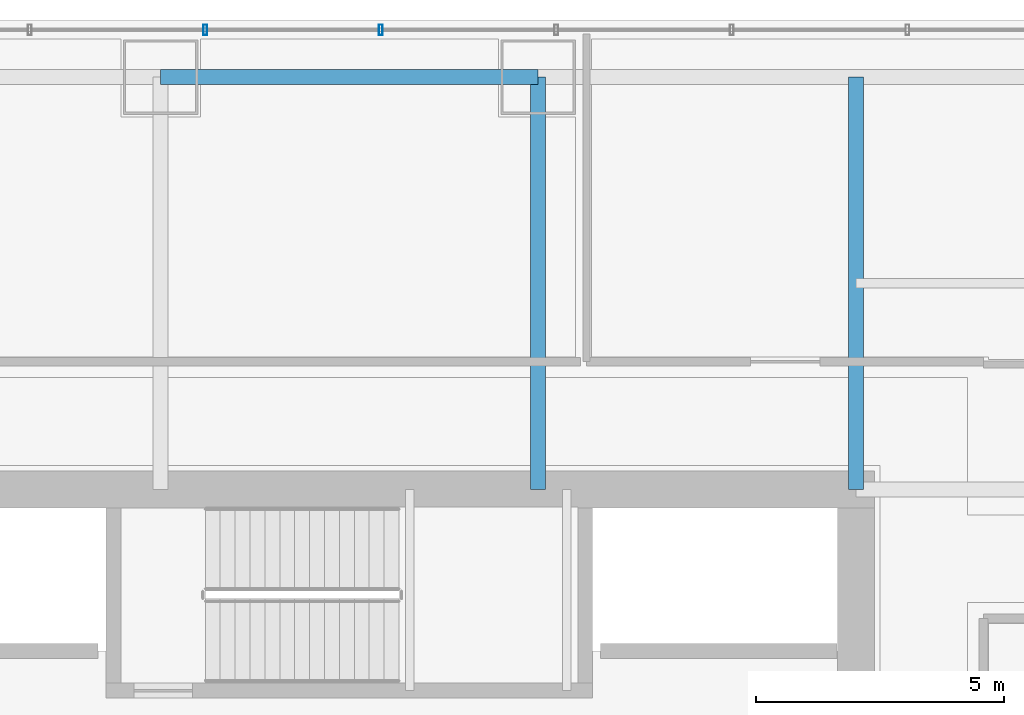
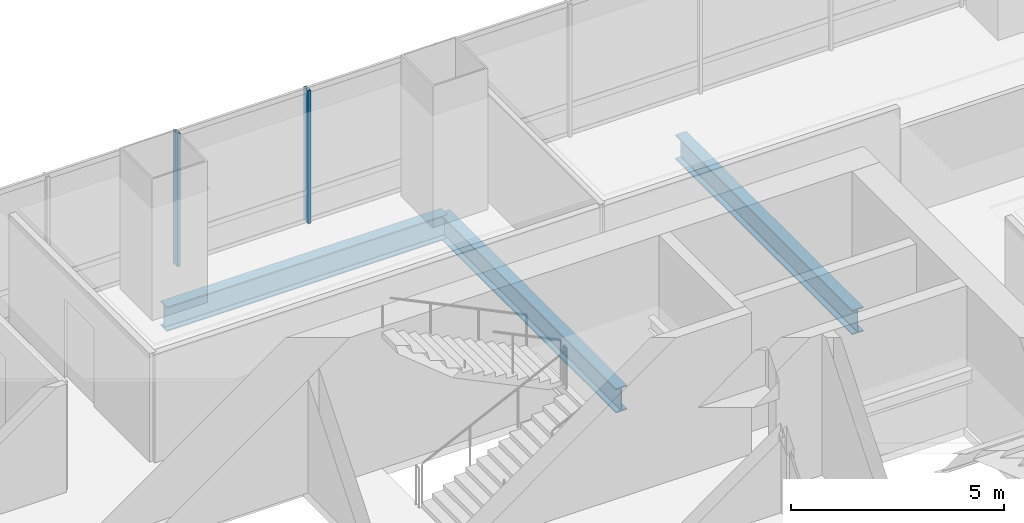
# One storey, part 20 of 35: 3 beams, 2 members, 1 element without a shape of its own.
"""IFC4 building model written with IfcOpenShell, lengths in metres."""

from ifc_helpers import new_model, si_unit, direction, frame, origin, origin_2d, place, context, subcontext, project, spatial, hollow_rectangle, i_section, extrude, material, material_profile, profile_set, type_object, element, aggregate, save


model = new_model("IFC4")

# Units and contexts
model_context = context("Model", 3, precision=1e-05, world=origin(), true_north=direction((0.0, 1.0)))
body_context = subcontext(model_context, "Body", "Model", "MODEL_VIEW")
ifc_project = project(units=[si_unit("LENGTHUNIT", "METRE"), si_unit("AREAUNIT", "SQUARE_METRE"), si_unit("VOLUMEUNIT", "CUBIC_METRE"), si_unit("PLANEANGLEUNIT", "RADIAN"), si_unit("MASSUNIT", "GRAM", prefix="KILO")], contexts=[model_context])

# Site, building, storey
site_placement = place(None, origin())
site = spatial("IfcSite", under=ifc_project, at=site_placement, CompositionType="ELEMENT")
building_placement = place(site_placement, origin())
building = spatial("IfcBuilding", under=site, at=building_placement, Name="Punatoya Terracotta Tower", CompositionType="ELEMENT")
storey_placement = place(building_placement, frame((0.0, 0.0, 72.75)))
storey = spatial("IfcBuildingStorey", under=building, at=storey_placement, Name="L16", CompositionType="ELEMENT", Elevation=72.75)

# Beams
ifc_material_1 = material(Name="Steel S355", Category="steel")
ifc_material_profile_1 = material_profile(ifc_material_1, i_section(OverallWidth=0.300048828125, OverallDepth=0.699951171875, WebThickness=0.01708984375, FlangeThickness=0.031982421875, FilletRadius=0.01806640625, at=origin_2d()))
ifc_profile_set_1 = profile_set([ifc_material_profile_1], Name="Steel S355")
beam_type = type_object("IfcBeamType", Name="BM-PRI-700", PredefinedType="BEAM", material=ifc_profile_set_1)
beam_placement = place(storey_placement, frame((-3.800048828125, 17.5, -0.590087890625), z_axis=(1.0, 0.0, 0.0), x_axis=(0.0, 1.0, 0.0)))
element("IfcBeam", 1, at=beam_placement, inside=storey, type_object=beam_type, Name="BM-L16-RG-N2", PredefinedType="BEAM", context=body_context, shape_type="SweptSolid", body=[
    extrude(i_section(OverallWidth=0.300048828125, OverallDepth=0.699951171875, WebThickness=0.01708984375, FlangeThickness=0.031982421875, FilletRadius=0.01806640625, at=origin_2d()), origin(), (0.0, 0.0, 1.0), 7.60009765625),
])
for number, where, z_axis, x_axis, name in (
    (2, (3.800048828125, 9.199951171875, -0.590087890625), (0.0, 1.0, 0.0), (-1.0, 0.0, 0.0), "BM-L16-PR-N3"),
    (3, (10.199951171875, 9.199951171875, -0.590087890625), (0.0, 1.0, 0.0), (-1.0, 0.0, 0.0), "BM-L16-PR-N4"),
):
    element("IfcBeam", number, at=place(storey_placement, frame(where, z_axis=z_axis, x_axis=x_axis)), inside=storey, type_object=beam_type, Name=name, PredefinedType="BEAM", context=body_context, shape_type="SweptSolid", body=[
        extrude(i_section(OverallWidth=0.300048828125, OverallDepth=0.699951171875, WebThickness=0.01708984375, FlangeThickness=0.031982421875, FilletRadius=0.01806640625, at=origin_2d()), origin(), (0.0, 0.0, 1.0), 8.300048828125),
    ])

# Curtain wall, members
ifc_material_2 = material(Name="Aluminium 6063-T6 + Double Low-E Glass", Category="aluminium")
curtain_wall_type = type_object("IfcCurtainWallType", Name="CW-M1", PredefinedType="NOTDEFINED", material=ifc_material_2)
curtain_wall_placement = place(storey_placement, origin())
curtain_wall = element("IfcCurtainWall", 4, at=curtain_wall_placement, inside=storey, type_object=curtain_wall_type, Name="L16 Curtain Wall CW-L16-N09-1", PredefinedType="NOTDEFINED")
ifc_material_3 = material(Name="Aluminium 6063-T6", Category="aluminium")
ifc_material_profile_2 = material_profile(ifc_material_3, hollow_rectangle(XDim=0.074951171875, YDim=0.2099609375, WallThickness=0.00439453125, at=origin_2d()))
ifc_profile_set_2 = profile_set([ifc_material_profile_2], Name="Aluminium 6063-T6")
member_type = type_object("IfcMemberType", Name="CW-MUL-M1", PredefinedType="MULLION", material=ifc_profile_set_2)
member_1_placement = place(storey_placement, frame((0.633056640625, 18.449951171875, 0.0), z_axis=(0.0, 0.0, 1.0), x_axis=(1.0, 0.0, 0.0)))
member_1 = element("IfcMember", 5, at=member_1_placement, type_object=member_type, Name="CW-L16-N09-1 Mullion 06", PredefinedType="MULLION", context=body_context, shape_type="SweptSolid", body=[
    extrude(hollow_rectangle(XDim=0.074951171875, YDim=0.2099609375, WallThickness=0.00439453125, at=origin_2d()), origin(), (0.0, 0.0, 1.0), 3.81005859375),
])
member_2_placement = place(storey_placement, frame((-2.90087890625, 18.449951171875, 0.0), z_axis=(0.0, 0.0, 1.0), x_axis=(1.0, 0.0, 0.0)))
member_2 = element("IfcMember", 6, at=member_2_placement, type_object=member_type, Name="CW-L16-N09-1 Mullion 07", PredefinedType="MULLION", context=body_context, shape_type="SweptSolid", body=[
    extrude(hollow_rectangle(XDim=0.074951171875, YDim=0.2099609375, WallThickness=0.00439453125, at=origin_2d()), origin(), (0.0, 0.0, 1.0), 3.81005859375),
])
aggregate(curtain_wall, [member_1, member_2])

save(model, "model.ifc")
